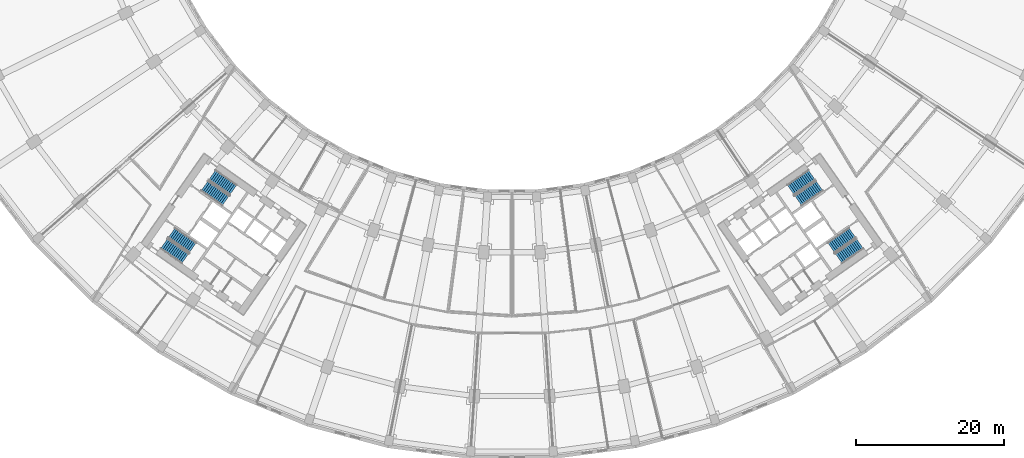
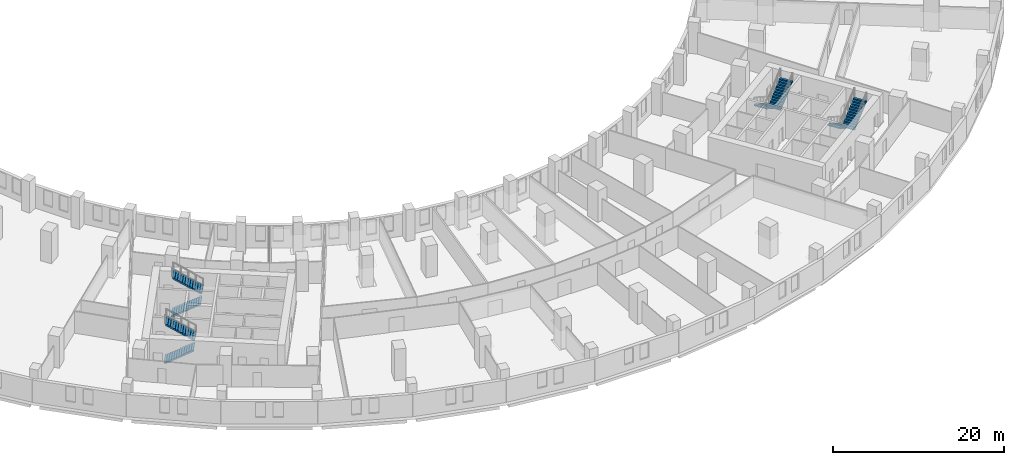
# One storey, part 15 of 20: 8 stair flights, 4 elements without a shape of their own.
"""IFC4 building model written with IfcOpenShell, lengths in metres."""

from ifc_helpers import new_model, si_unit, direction, frame, origin, place, context, subcontext, project, spatial, polyline, outline, extrude, material, type_object, element, aggregate, save


model = new_model("IFC4")

# Units and contexts
model_context = context("Model", 3, precision=1e-05, world=origin(), true_north=direction((0.0, 1.0)))
body_context = subcontext(model_context, "Body", "Model", "MODEL_VIEW")
ifc_project = project(units=[si_unit("LENGTHUNIT", "METRE"), si_unit("AREAUNIT", "SQUARE_METRE"), si_unit("VOLUMEUNIT", "CUBIC_METRE"), si_unit("PLANEANGLEUNIT", "RADIAN"), si_unit("MASSUNIT", "GRAM", prefix="KILO")], contexts=[model_context])

# Site, building, storey
site_placement = place(None, origin())
site = spatial("IfcSite", under=ifc_project, at=site_placement, CompositionType="ELEMENT")
building_placement = place(site_placement, origin())
building = spatial("IfcBuilding", under=site, at=building_placement, Name="Qamariyya Broadcast Tower", CompositionType="ELEMENT")
storey_placement = place(building_placement, frame((0.0, 0.0, 27.0)))
storey = spatial("IfcBuildingStorey", under=building, at=storey_placement, Name="L03", CompositionType="ELEMENT", Elevation=27.0)

# Stair, stair flights
ifc_material = material(Name="Concrete C50/60", Category="concrete")
stair_type = type_object("IfcStairType", Name="Exit stair 26 risers of 173 mm", PredefinedType="HALF_TURN_STAIR", material=ifc_material)
stair_1_placement = place(storey_placement, origin())
stair_1 = element("IfcStair", 1, at=stair_1_placement, inside=storey, type_object=stair_type, Name="L03 Stair W2", PredefinedType="HALF_TURN_STAIR")
stair_flight_type = type_object("IfcStairFlightType", Name="Exit stair flight 13 risers of 173 mm", PredefinedType="STRAIGHT", material=ifc_material)
stair_flight_1_placement = place(storey_placement, frame((-41.59130859375, -49.15966796875, 0.0), z_axis=(0.0, 0.0, 1.0), x_axis=(0.819152044289, -0.573576436351, 0.0)))
stair_flight_1 = element("IfcStairFlight", 2, at=stair_flight_1_placement, type_object=stair_flight_type, Name="ST-W2 flight 1", NumberOfRisers=13, NumberOfTreads=12, PredefinedType="STRAIGHT", RiserHeight=0.173076923, TreadLength=0.29, context=body_context, shape_type="SweptSolid", body=[
    extrude(outline(polyline([(0.0, 0.0), (0.0, 0.173095703125), (0.2900390625, 0.173095703125), (0.2900390625, 0.34619140625), (0.580078125, 0.34619140625), (0.580078125, 0.519287109375), (0.8701171875, 0.519287109375), (0.8701171875, 0.6923828125), (1.159912109375, 0.6923828125), (1.159912109375, 0.865478515625), (1.449951171875, 0.865478515625), (1.449951171875, 1.03857421875), (1.739990234375, 1.03857421875), (1.739990234375, 1.21142578125), (2.030029296875, 1.21142578125), (2.030029296875, 1.384521484375), (2.320068359375, 1.384521484375), (2.320068359375, 1.5576171875), (2.610107421875, 1.5576171875), (2.610107421875, 1.730712890625), (2.89990234375, 1.730712890625), (2.89990234375, 1.90380859375), (3.18994140625, 1.90380859375), (3.18994140625, 2.076904296875), (3.47998046875, 2.076904296875), (3.47998046875, 2.25), (3.47998046875, 1.90234375), (0.29248046875, 0.0), (0.0, 0.0)])), frame((0.0, 0.824951171875, 0.0), z_axis=(0.0, -1.0, 0.0), x_axis=(1.0, 0.0, 0.0)), (0.0, 0.0, 1.0), 1.64990234375),
])
stair_flight_2_placement = place(storey_placement, frame((-37.7080078125, -49.681396484375, 2.25), z_axis=(0.0, 0.0, 1.0), x_axis=(-0.819152044289, 0.573576436351, 0.0)))
stair_flight_2 = element("IfcStairFlight", 3, at=stair_flight_2_placement, type_object=stair_flight_type, Name="ST-W2 flight 2", NumberOfRisers=13, NumberOfTreads=12, PredefinedType="STRAIGHT", RiserHeight=0.173076923, TreadLength=0.29, context=body_context, shape_type="SweptSolid", body=[
    extrude(outline(polyline([(0.0, 0.0), (0.0, 0.173095703125), (0.2900390625, 0.173095703125), (0.2900390625, 0.34619140625), (0.580078125, 0.34619140625), (0.580078125, 0.519287109375), (0.8701171875, 0.519287109375), (0.8701171875, 0.6923828125), (1.159912109375, 0.6923828125), (1.159912109375, 0.865478515625), (1.449951171875, 0.865478515625), (1.449951171875, 1.03857421875), (1.739990234375, 1.03857421875), (1.739990234375, 1.21142578125), (2.030029296875, 1.21142578125), (2.030029296875, 1.384521484375), (2.320068359375, 1.384521484375), (2.320068359375, 1.5576171875), (2.610107421875, 1.5576171875), (2.610107421875, 1.730712890625), (2.89990234375, 1.730712890625), (2.89990234375, 1.90380859375), (3.18994140625, 1.90380859375), (3.18994140625, 2.076904296875), (3.47998046875, 2.076904296875), (3.47998046875, 2.25), (3.47998046875, 1.90234375), (0.29248046875, 0.0), (0.0, 0.0)])), frame((0.0, 0.824951171875, 0.0), z_axis=(0.0, -1.0, 0.0), x_axis=(1.0, 0.0, 0.0)), (0.0, 0.0, 1.0), 1.64990234375),
])
aggregate(stair_1, [stair_flight_1, stair_flight_2])

stair_2_placement = place(storey_placement, origin())
stair_2 = element("IfcStair", 4, at=stair_2_placement, inside=storey, type_object=stair_type, Name="L03 Stair W1", PredefinedType="HALF_TURN_STAIR")
stair_flight_3_placement = place(storey_placement, frame((-47.06884765625, -56.982666015625, 0.0), z_axis=(0.0, 0.0, 1.0), x_axis=(0.819152044289, -0.573576436351, 0.0)))
stair_flight_3 = element("IfcStairFlight", 5, at=stair_flight_3_placement, type_object=stair_flight_type, Name="ST-W1 flight 1", NumberOfRisers=13, NumberOfTreads=12, PredefinedType="STRAIGHT", RiserHeight=0.173076923, TreadLength=0.29, context=body_context, shape_type="SweptSolid", body=[
    extrude(outline(polyline([(0.0, 0.0), (0.0, 0.173095703125), (0.2900390625, 0.173095703125), (0.2900390625, 0.34619140625), (0.580078125, 0.34619140625), (0.580078125, 0.519287109375), (0.8701171875, 0.519287109375), (0.8701171875, 0.6923828125), (1.159912109375, 0.6923828125), (1.159912109375, 0.865478515625), (1.449951171875, 0.865478515625), (1.449951171875, 1.03857421875), (1.739990234375, 1.03857421875), (1.739990234375, 1.21142578125), (2.030029296875, 1.21142578125), (2.030029296875, 1.384521484375), (2.320068359375, 1.384521484375), (2.320068359375, 1.5576171875), (2.610107421875, 1.5576171875), (2.610107421875, 1.730712890625), (2.89990234375, 1.730712890625), (2.89990234375, 1.90380859375), (3.18994140625, 1.90380859375), (3.18994140625, 2.076904296875), (3.47998046875, 2.076904296875), (3.47998046875, 2.25), (3.47998046875, 1.90234375), (0.29248046875, 0.0), (0.0, 0.0)])), frame((0.0, 0.824951171875, 0.0), z_axis=(0.0, -1.0, 0.0), x_axis=(1.0, 0.0, 0.0)), (0.0, 0.0, 1.0), 1.64990234375),
])
stair_flight_4_placement = place(storey_placement, frame((-43.185791015625, -57.504150390625, 2.25), z_axis=(0.0, 0.0, 1.0), x_axis=(-0.819152044289, 0.573576436351, 0.0)))
stair_flight_4 = element("IfcStairFlight", 6, at=stair_flight_4_placement, type_object=stair_flight_type, Name="ST-W1 flight 2", NumberOfRisers=13, NumberOfTreads=12, PredefinedType="STRAIGHT", RiserHeight=0.173076923, TreadLength=0.29, context=body_context, shape_type="SweptSolid", body=[
    extrude(outline(polyline([(0.0, 0.0), (0.0, 0.173095703125), (0.2900390625, 0.173095703125), (0.2900390625, 0.34619140625), (0.580078125, 0.34619140625), (0.580078125, 0.519287109375), (0.8701171875, 0.519287109375), (0.8701171875, 0.6923828125), (1.159912109375, 0.6923828125), (1.159912109375, 0.865478515625), (1.449951171875, 0.865478515625), (1.449951171875, 1.03857421875), (1.739990234375, 1.03857421875), (1.739990234375, 1.21142578125), (2.030029296875, 1.21142578125), (2.030029296875, 1.384521484375), (2.320068359375, 1.384521484375), (2.320068359375, 1.5576171875), (2.610107421875, 1.5576171875), (2.610107421875, 1.730712890625), (2.89990234375, 1.730712890625), (2.89990234375, 1.90380859375), (3.18994140625, 1.90380859375), (3.18994140625, 2.076904296875), (3.47998046875, 2.076904296875), (3.47998046875, 2.25), (3.47998046875, 1.90234375), (0.29248046875, 0.0), (0.0, 0.0)])), frame((0.0, 0.824951171875, 0.0), z_axis=(0.0, -1.0, 0.0), x_axis=(1.0, 0.0, 0.0)), (0.0, 0.0, 1.0), 1.64990234375),
])
aggregate(stair_2, [stair_flight_3, stair_flight_4])

stair_3_placement = place(storey_placement, origin())
stair_3 = element("IfcStair", 7, at=stair_3_placement, inside=storey, type_object=stair_type, Name="L03 Stair E2", PredefinedType="HALF_TURN_STAIR")
stair_flight_5_placement = place(storey_placement, frame((40.558837890625, -47.685302734375, 0.0), z_axis=(0.0, 0.0, 1.0), x_axis=(-0.819152044289, -0.573576436351, 0.0)))
stair_flight_5 = element("IfcStairFlight", 8, at=stair_flight_5_placement, type_object=stair_flight_type, Name="ST-E2 flight 1", NumberOfRisers=13, NumberOfTreads=12, PredefinedType="STRAIGHT", RiserHeight=0.173076923, TreadLength=0.29, context=body_context, shape_type="SweptSolid", body=[
    extrude(outline(polyline([(0.0, 0.0), (0.0, 0.173095703125), (0.2900390625, 0.173095703125), (0.2900390625, 0.34619140625), (0.580078125, 0.34619140625), (0.580078125, 0.519287109375), (0.8701171875, 0.519287109375), (0.8701171875, 0.6923828125), (1.159912109375, 0.6923828125), (1.159912109375, 0.865478515625), (1.449951171875, 0.865478515625), (1.449951171875, 1.03857421875), (1.739990234375, 1.03857421875), (1.739990234375, 1.21142578125), (2.030029296875, 1.21142578125), (2.030029296875, 1.384521484375), (2.320068359375, 1.384521484375), (2.320068359375, 1.5576171875), (2.610107421875, 1.5576171875), (2.610107421875, 1.730712890625), (2.89990234375, 1.730712890625), (2.89990234375, 1.90380859375), (3.18994140625, 1.90380859375), (3.18994140625, 2.076904296875), (3.47998046875, 2.076904296875), (3.47998046875, 2.25), (3.47998046875, 1.90234375), (0.29248046875, 0.0), (0.0, 0.0)])), frame((0.0, 0.824951171875, 0.0), z_axis=(0.0, -1.0, 0.0), x_axis=(1.0, 0.0, 0.0)), (0.0, 0.0, 1.0), 1.64990234375),
])
stair_flight_6_placement = place(storey_placement, frame((38.740478515625, -51.15576171875, 2.25), z_axis=(0.0, 0.0, 1.0), x_axis=(0.819152044289, 0.573576436351, 0.0)))
stair_flight_6 = element("IfcStairFlight", 9, at=stair_flight_6_placement, type_object=stair_flight_type, Name="ST-E2 flight 2", NumberOfRisers=13, NumberOfTreads=12, PredefinedType="STRAIGHT", RiserHeight=0.173076923, TreadLength=0.29, context=body_context, shape_type="SweptSolid", body=[
    extrude(outline(polyline([(0.0, 0.0), (0.0, 0.173095703125), (0.2900390625, 0.173095703125), (0.2900390625, 0.34619140625), (0.580078125, 0.34619140625), (0.580078125, 0.519287109375), (0.8701171875, 0.519287109375), (0.8701171875, 0.6923828125), (1.159912109375, 0.6923828125), (1.159912109375, 0.865478515625), (1.449951171875, 0.865478515625), (1.449951171875, 1.03857421875), (1.739990234375, 1.03857421875), (1.739990234375, 1.21142578125), (2.030029296875, 1.21142578125), (2.030029296875, 1.384521484375), (2.320068359375, 1.384521484375), (2.320068359375, 1.5576171875), (2.610107421875, 1.5576171875), (2.610107421875, 1.730712890625), (2.89990234375, 1.730712890625), (2.89990234375, 1.90380859375), (3.18994140625, 1.90380859375), (3.18994140625, 2.076904296875), (3.47998046875, 2.076904296875), (3.47998046875, 2.25), (3.47998046875, 1.90234375), (0.29248046875, 0.0), (0.0, 0.0)])), frame((0.0, 0.824951171875, 0.0), z_axis=(0.0, -1.0, 0.0), x_axis=(1.0, 0.0, 0.0)), (0.0, 0.0, 1.0), 1.64990234375),
])
aggregate(stair_3, [stair_flight_5, stair_flight_6])

stair_4_placement = place(storey_placement, origin())
stair_4 = element("IfcStair", 10, at=stair_4_placement, inside=storey, type_object=stair_type, Name="L03 Stair E1", PredefinedType="HALF_TURN_STAIR")
stair_flight_7_placement = place(storey_placement, frame((46.036376953125, -55.508056640625, 0.0), z_axis=(0.0, 0.0, 1.0), x_axis=(-0.819152044289, -0.573576436351, 0.0)))
stair_flight_7 = element("IfcStairFlight", 11, at=stair_flight_7_placement, type_object=stair_flight_type, Name="ST-E1 flight 1", NumberOfRisers=13, NumberOfTreads=12, PredefinedType="STRAIGHT", RiserHeight=0.173076923, TreadLength=0.29, context=body_context, shape_type="SweptSolid", body=[
    extrude(outline(polyline([(0.0, 0.0), (0.0, 0.173095703125), (0.2900390625, 0.173095703125), (0.2900390625, 0.34619140625), (0.580078125, 0.34619140625), (0.580078125, 0.519287109375), (0.8701171875, 0.519287109375), (0.8701171875, 0.6923828125), (1.159912109375, 0.6923828125), (1.159912109375, 0.865478515625), (1.449951171875, 0.865478515625), (1.449951171875, 1.03857421875), (1.739990234375, 1.03857421875), (1.739990234375, 1.21142578125), (2.030029296875, 1.21142578125), (2.030029296875, 1.384521484375), (2.320068359375, 1.384521484375), (2.320068359375, 1.5576171875), (2.610107421875, 1.5576171875), (2.610107421875, 1.730712890625), (2.89990234375, 1.730712890625), (2.89990234375, 1.90380859375), (3.18994140625, 1.90380859375), (3.18994140625, 2.076904296875), (3.47998046875, 2.076904296875), (3.47998046875, 2.25), (3.47998046875, 1.90234375), (0.29248046875, 0.0), (0.0, 0.0)])), frame((0.0, 0.824951171875, 0.0), z_axis=(0.0, -1.0, 0.0), x_axis=(1.0, 0.0, 0.0)), (0.0, 0.0, 1.0), 1.64990234375),
])
stair_flight_8_placement = place(storey_placement, frame((44.21826171875, -58.978759765625, 2.25), z_axis=(0.0, 0.0, 1.0), x_axis=(0.819152044289, 0.573576436351, 0.0)))
stair_flight_8 = element("IfcStairFlight", 12, at=stair_flight_8_placement, type_object=stair_flight_type, Name="ST-E1 flight 2", NumberOfRisers=13, NumberOfTreads=12, PredefinedType="STRAIGHT", RiserHeight=0.173076923, TreadLength=0.29, context=body_context, shape_type="SweptSolid", body=[
    extrude(outline(polyline([(0.0, 0.0), (0.0, 0.173095703125), (0.2900390625, 0.173095703125), (0.2900390625, 0.34619140625), (0.580078125, 0.34619140625), (0.580078125, 0.519287109375), (0.8701171875, 0.519287109375), (0.8701171875, 0.6923828125), (1.159912109375, 0.6923828125), (1.159912109375, 0.865478515625), (1.449951171875, 0.865478515625), (1.449951171875, 1.03857421875), (1.739990234375, 1.03857421875), (1.739990234375, 1.21142578125), (2.030029296875, 1.21142578125), (2.030029296875, 1.384521484375), (2.320068359375, 1.384521484375), (2.320068359375, 1.5576171875), (2.610107421875, 1.5576171875), (2.610107421875, 1.730712890625), (2.89990234375, 1.730712890625), (2.89990234375, 1.90380859375), (3.18994140625, 1.90380859375), (3.18994140625, 2.076904296875), (3.47998046875, 2.076904296875), (3.47998046875, 2.25), (3.47998046875, 1.90234375), (0.29248046875, 0.0), (0.0, 0.0)])), frame((0.0, 0.824951171875, 0.0), z_axis=(0.0, -1.0, 0.0), x_axis=(1.0, 0.0, 0.0)), (0.0, 0.0, 1.0), 1.64990234375),
])
aggregate(stair_4, [stair_flight_7, stair_flight_8])

save(model, "model.ifc")
